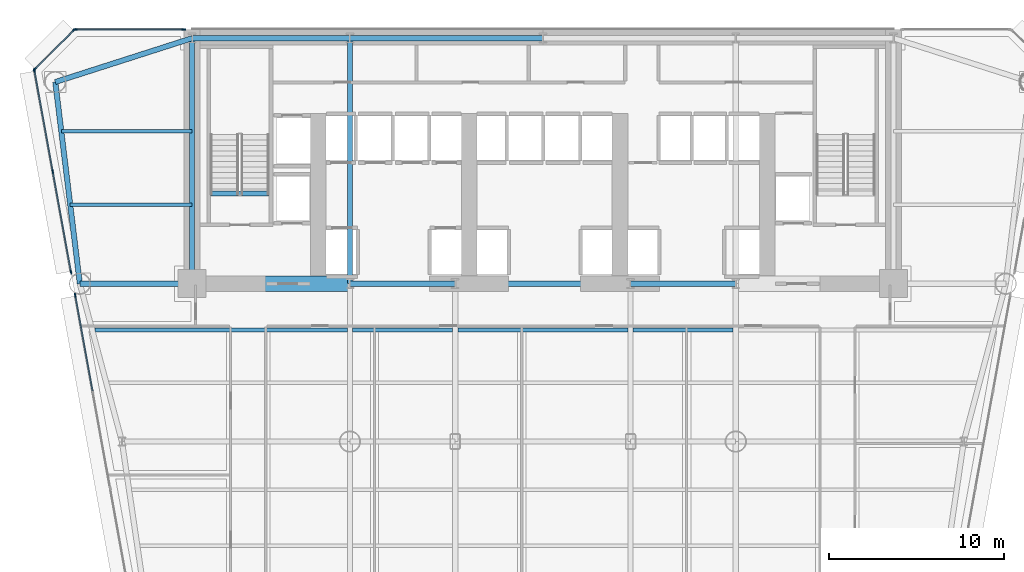
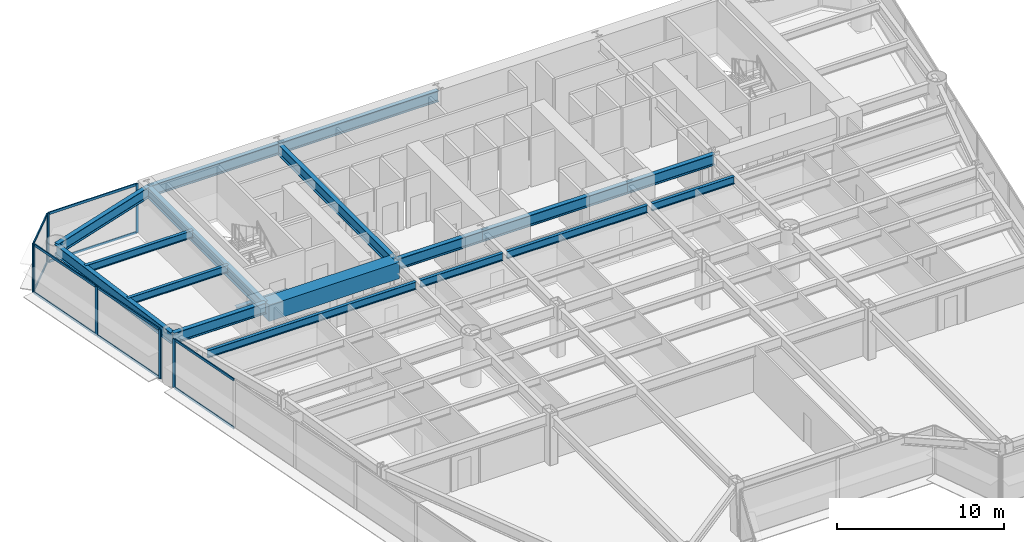
# One storey, part 5 of 14: 18 beams, 18 members, 4 elements without a shape of their own.
"""IFC4 building model written with IfcOpenShell, lengths in metres."""

from ifc_helpers import new_model, si_unit, direction, frame, origin, origin_2d, place, context, subcontext, project, spatial, rectangle, i_section, extrude, source, transform, mapped, material, layer, layer_set, material_profile, profile_set, type_object, element, aggregate, save


model = new_model("IFC4")

# Units and contexts
model_context = context("Model", 3, precision=1e-05, world=origin(), true_north=direction((0.0, 1.0)))
body_context = subcontext(model_context, "Body", "Model", "MODEL_VIEW")
ifc_project = project(units=[si_unit("LENGTHUNIT", "METRE"), si_unit("AREAUNIT", "SQUARE_METRE"), si_unit("VOLUMEUNIT", "CUBIC_METRE"), si_unit("PLANEANGLEUNIT", "RADIAN"), si_unit("MASSUNIT", "GRAM", prefix="KILO")], contexts=[model_context])

# Site, building, storey
site_placement = place(None, origin())
site = spatial("IfcSite", under=ifc_project, at=site_placement, CompositionType="ELEMENT")
building_placement = place(site_placement, origin())
building = spatial("IfcBuilding", under=site, at=building_placement, Name="Vaeldorn Concourse Tower", CompositionType="ELEMENT")
storey_placement = place(building_placement, frame((0.0, 0.0, 26.39990234375)))
storey = spatial("IfcBuildingStorey", under=building, at=storey_placement, Name="L06", CompositionType="ELEMENT", Elevation=26.39990234375)

# Beams
ifc_material_1 = material(Name="Concrete C60/75", Category="concrete")
ifc_material_profile_1 = material_profile(ifc_material_1, rectangle(XDim=0.89990234375, YDim=1.199951171875, at=origin_2d()), Name="RC 900x1200")
ifc_profile_set_1 = profile_set([ifc_material_profile_1], Name="Concrete C60/75")
beam_type_1 = type_object("IfcBeamType", Name="BM-CB-RC900", PredefinedType="BEAM", material=ifc_profile_set_1)
shared_shape_1 = source(origin(), body_context, "Body", "SweptSolid", [
    extrude(rectangle(XDim=0.89990234375, YDim=1.199951171875, at=origin_2d()), origin(), (0.0, 0.0, 1.0), 9.0),
])
beam_1_placement = place(storey_placement, frame((14.0, 36.5, 2.97998046875), z_axis=(1.0, 0.0, 0.0), x_axis=(0.0, 1.0, 0.0)))
element("IfcBeam", 1, at=beam_1_placement, inside=storey, type_object=beam_type_1, Name="Core Coupling Beam L06-1", PredefinedType="BEAM", context=body_context, shape_type="MappedRepresentation", body=[
    mapped(shared_shape_1, transform((0.0, 0.0, 0.0), scale=1.0)),
])
ifc_material_2 = material(Name="Steel S355", Category="steel")
ifc_material_profile_2 = material_profile(ifc_material_2, i_section(OverallWidth=0.300048828125, OverallDepth=0.340087890625, WebThickness=0.011962890625, FlangeThickness=0.021484375, FilletRadius=0.027099609375, at=origin_2d()), Name="HEB 340")
ifc_profile_set_2 = profile_set([ifc_material_profile_2], Name="Steel S355")
beam_type_2 = type_object("IfcBeamType", Name="BM-ST-TRIM", PredefinedType="BEAM", material=ifc_profile_set_2)
shared_shape_2 = source(origin(), body_context, "Body", "SweptSolid", [
    extrude(i_section(OverallWidth=0.300048828125, OverallDepth=0.340087890625, WebThickness=0.011962890625, FlangeThickness=0.021484375, FilletRadius=0.027099609375, at=origin_2d()), origin(), (0.0, 0.0, 1.0), 3.590087890625),
])
beam_2_placement = place(storey_placement, frame((14.929931640625, 41.639892578125, -0.389892578125), z_axis=(1.0, 0.0, 0.0), x_axis=(0.0, 1.0, 0.0)))
element("IfcBeam", 2, at=beam_2_placement, inside=storey, type_object=beam_type_2, Name="Stair Landing Trimmer Beam ST-1 L06", PredefinedType="BEAM", context=body_context, shape_type="MappedRepresentation", body=[
    mapped(shared_shape_2, transform((0.0, 0.0, 0.0), scale=1.0)),
])
ifc_material_profile_3 = material_profile(ifc_material_2, i_section(OverallWidth=0.300048828125, OverallDepth=0.800048828125, WebThickness=0.017578125, FlangeThickness=0.032958984375, FilletRadius=0.030029296875, at=origin_2d()), Name="HEB 800")
ifc_profile_set_3 = profile_set([ifc_material_profile_3], Name="Steel S355")
beam_type_3 = type_object("IfcBeamType", Name="BM-PG-HEB800", PredefinedType="BEAM", material=ifc_profile_set_3)
shared_shape_3 = source(origin(), body_context, "Body", "SweptSolid", [
    extrude(i_section(OverallWidth=0.300048828125, OverallDepth=0.800048828125, WebThickness=0.017578125, FlangeThickness=0.032958984375, FilletRadius=0.030029296875, at=origin_2d()), origin(), (0.0, 0.0, 1.0), 6.0),
])
for number, where, z_axis, x_axis, name in (
    (3, (23.0, 36.5, 3.18017578125), (1.0, 0.0, 0.0), (0.0, 1.0, 0.0), "Beam BM-L06-C-FC2-C-FC3"),
    (4, (39.0, 36.5, 3.18017578125), (1.0, 0.0, 0.0), (0.0, 1.0, 0.0), "Beam BM-L06-C-FC4-C-FC5"),
):
    element("IfcBeam", number, at=place(storey_placement, frame(where, z_axis=z_axis, x_axis=x_axis)), inside=storey, type_object=beam_type_3, Name=name, PredefinedType="BEAM", context=body_context, shape_type="MappedRepresentation", body=[
        mapped(shared_shape_3, transform((0.0, 0.0, 0.0), scale=1.0)),
    ])
shared_shape_4 = source(origin(), body_context, "Body", "SweptSolid", [
    extrude(i_section(OverallWidth=0.300048828125, OverallDepth=0.800048828125, WebThickness=0.017578125, FlangeThickness=0.032958984375, FilletRadius=0.030029296875, at=origin_2d()), origin(), (0.0, 0.0, 1.0), 10.0),
])
beam_3_placement = place(storey_placement, frame((29.0, 36.5, 3.18017578125), z_axis=(1.0, 0.0, 0.0), x_axis=(0.0, 1.0, 0.0)))
element("IfcBeam", 5, at=beam_3_placement, inside=storey, type_object=beam_type_3, Name="Beam BM-L06-C-FC3-C-FC4", PredefinedType="BEAM", context=body_context, shape_type="MappedRepresentation", body=[
    mapped(shared_shape_4, transform((0.0, 0.0, 0.0), scale=1.0)),
])
shared_shape_5 = source(origin(), body_context, "Body", "SweptSolid", [
    extrude(i_section(OverallWidth=0.300048828125, OverallDepth=0.800048828125, WebThickness=0.017578125, FlangeThickness=0.032958984375, FilletRadius=0.030029296875, at=origin_2d()), origin(), (0.0, 0.0, 1.0), 9.0),
])
beam_4_placement = place(storey_placement, frame((14.0, 50.5, 3.18017578125), z_axis=(1.0, 0.0, 0.0), x_axis=(0.0, 1.0, 0.0)))
element("IfcBeam", 6, at=beam_4_placement, inside=storey, type_object=beam_type_3, Name="Beam BM-L06-C-HC1-C-HC2", PredefinedType="BEAM", context=body_context, shape_type="MappedRepresentation", body=[
    mapped(shared_shape_5, transform((0.0, 0.0, 0.0), scale=1.0)),
])
shared_shape_6 = source(origin(), body_context, "Body", "SweptSolid", [
    extrude(i_section(OverallWidth=0.300048828125, OverallDepth=0.800048828125, WebThickness=0.017578125, FlangeThickness=0.032958984375, FilletRadius=0.030029296875, at=origin_2d()), origin(), (0.0, 0.0, 1.0), 11.0),
])
beam_5_placement = place(storey_placement, frame((23.0, 50.5, 3.18017578125), z_axis=(1.0, 0.0, 0.0), x_axis=(0.0, 1.0, 0.0)))
element("IfcBeam", 7, at=beam_5_placement, inside=storey, type_object=beam_type_3, Name="Beam BM-L06-C-HC2-C-HC3", PredefinedType="BEAM", context=body_context, shape_type="MappedRepresentation", body=[
    mapped(shared_shape_6, transform((0.0, 0.0, 0.0), scale=1.0)),
])
shared_shape_7 = source(origin(), body_context, "Body", "SweptSolid", [
    extrude(i_section(OverallWidth=0.300048828125, OverallDepth=0.800048828125, WebThickness=0.017578125, FlangeThickness=0.032958984375, FilletRadius=0.030029296875, at=origin_2d()), origin(), (0.0, 0.0, 1.0), 14.0),
])
for number, where, z_axis, x_axis, name in (
    (8, (14.0, 36.5, 3.18017578125), (0.0, 1.0, 0.0), (-1.0, 0.0, 0.0), "Beam BM-L06-C-FC1-C-HC1"),
    (9, (23.0, 36.5, 3.18017578125), (0.0, 1.0, 0.0), (-1.0, 0.0, 0.0), "Beam BM-L06-C-FC2-C-HC2"),
):
    element("IfcBeam", number, at=place(storey_placement, frame(where, z_axis=z_axis, x_axis=x_axis)), inside=storey, type_object=beam_type_3, Name=name, PredefinedType="BEAM", context=body_context, shape_type="MappedRepresentation", body=[
        mapped(shared_shape_7, transform((0.0, 0.0, 0.0), scale=1.0)),
    ])
shared_shape_8 = source(origin(), body_context, "Body", "SweptSolid", [
    extrude(i_section(OverallWidth=0.300048828125, OverallDepth=0.800048828125, WebThickness=0.017578125, FlangeThickness=0.032958984375, FilletRadius=0.030029296875, at=origin_2d()), origin(), (0.0, 0.0, 1.0), 8.19091796875),
])
beam_6_placement = place(storey_placement, frame((6.199951171875, 48.0, 3.18017578125), z_axis=(0.952282843383, 0.305216949396, 0.0), x_axis=(-0.305216949396, 0.952282843383, 0.0)))
element("IfcBeam", 10, at=beam_6_placement, inside=storey, type_object=beam_type_3, Name="Beam BM-L06-C-NW1-C-HC1", PredefinedType="BEAM", context=body_context, shape_type="MappedRepresentation", body=[
    mapped(shared_shape_8, transform((0.0, 0.0, 0.0), scale=1.0)),
])
shared_shape_9 = source(origin(), body_context, "Body", "SweptSolid", [
    extrude(i_section(OverallWidth=0.300048828125, OverallDepth=0.800048828125, WebThickness=0.017578125, FlangeThickness=0.032958984375, FilletRadius=0.030029296875, at=origin_2d()), origin(), (0.0, 0.0, 1.0), 11.5849609375),
])
beam_7_placement = place(storey_placement, frame((6.199951171875, 48.0, 3.18017578125), z_axis=(0.120859382899, -0.992669637677, 0.0), x_axis=(0.992669637677, 0.120859382899, 0.0)))
element("IfcBeam", 11, at=beam_7_placement, inside=storey, type_object=beam_type_3, Name="Beam BM-L06-C-NW1-C-NW2", PredefinedType="BEAM", context=body_context, shape_type="MappedRepresentation", body=[
    mapped(shared_shape_9, transform((0.0, 0.0, 0.0), scale=1.0)),
])
shared_shape_10 = source(origin(), body_context, "Body", "SweptSolid", [
    extrude(i_section(OverallWidth=0.300048828125, OverallDepth=0.800048828125, WebThickness=0.017578125, FlangeThickness=0.032958984375, FilletRadius=0.030029296875, at=origin_2d()), origin(), (0.0, 0.0, 1.0), 6.39990234375),
])
beam_8_placement = place(storey_placement, frame((7.60009765625, 36.5, 3.18017578125), z_axis=(1.0, 0.0, 0.0), x_axis=(0.0, 1.0, 0.0)))
element("IfcBeam", 12, at=beam_8_placement, inside=storey, type_object=beam_type_3, Name="Beam BM-L06-C-NW2-C-FC1", PredefinedType="BEAM", context=body_context, shape_type="MappedRepresentation", body=[
    mapped(shared_shape_10, transform((0.0, 0.0, 0.0), scale=1.0)),
])
ifc_material_profile_4 = material_profile(ifc_material_2, i_section(OverallWidth=0.2099609375, OverallDepth=0.550048828125, WebThickness=0.010986328125, FlangeThickness=0.01708984375, FilletRadius=0.02392578125, at=origin_2d()), Name="IPE 550")
ifc_profile_set_4 = profile_set([ifc_material_profile_4], Name="Steel S355")
beam_type_4 = type_object("IfcBeamType", Name="BM-JS-IPE550", PredefinedType="JOIST", material=ifc_profile_set_4)
shared_shape_11 = source(origin(), body_context, "Body", "SweptSolid", [
    extrude(i_section(OverallWidth=0.2099609375, OverallDepth=0.550048828125, WebThickness=0.010986328125, FlangeThickness=0.01708984375, FilletRadius=0.02392578125, at=origin_2d()), origin(), (0.0, 0.0, 1.0), 5.7001953125),
])
for number, where, z_axis, x_axis, name in (
    (13, (23.14990234375, 33.860107421875, 3.30517578125), (1.0, 0.0, 0.0), (0.0, 1.0, 0.0), "Beam JS-L06-W2-338"),
    (14, (39.14990234375, 33.860107421875, 3.30517578125), (1.0, 0.0, 0.0), (0.0, 1.0, 0.0), "Beam JS-L06-E2-338"),
):
    element("IfcBeam", number, at=place(storey_placement, frame(where, z_axis=z_axis, x_axis=x_axis)), inside=storey, type_object=beam_type_4, Name=name, PredefinedType="JOIST", context=body_context, shape_type="MappedRepresentation", body=[
        mapped(shared_shape_11, transform((0.0, 0.0, 0.0), scale=1.0)),
    ])
shared_shape_12 = source(origin(), body_context, "Body", "SweptSolid", [
    extrude(i_section(OverallWidth=0.2099609375, OverallDepth=0.550048828125, WebThickness=0.010986328125, FlangeThickness=0.01708984375, FilletRadius=0.02392578125, at=origin_2d()), origin(), (0.0, 0.0, 1.0), 9.7001953125),
])
beam_9_placement = place(storey_placement, frame((29.14990234375, 33.860107421875, 3.30517578125), z_axis=(1.0, 0.0, 0.0), x_axis=(0.0, 1.0, 0.0)))
element("IfcBeam", 15, at=beam_9_placement, inside=storey, type_object=beam_type_4, Name="Beam JS-L06-C-338", PredefinedType="JOIST", context=body_context, shape_type="MappedRepresentation", body=[
    mapped(shared_shape_12, transform((0.0, 0.0, 0.0), scale=1.0)),
])
shared_shape_13 = source(origin(), body_context, "Body", "SweptSolid", [
    extrude(i_section(OverallWidth=0.2099609375, OverallDepth=0.550048828125, WebThickness=0.010986328125, FlangeThickness=0.01708984375, FilletRadius=0.02392578125, at=origin_2d()), origin(), (0.0, 0.0, 1.0), 6.94775390625),
])
beam_10_placement = place(storey_placement, frame((7.05224609375, 41.0, 3.30517578125), z_axis=(1.0, 0.0, 0.0), x_axis=(0.0, 1.0, 0.0)))
element("IfcBeam", 16, at=beam_10_placement, inside=storey, type_object=beam_type_4, Name="Beam JS-L06-NW-410", PredefinedType="JOIST", context=body_context, shape_type="MappedRepresentation", body=[
    mapped(shared_shape_13, transform((0.0, 0.0, 0.0), scale=1.0)),
])
shared_shape_14 = source(origin(), body_context, "Body", "SweptSolid", [
    extrude(i_section(OverallWidth=0.2099609375, OverallDepth=0.550048828125, WebThickness=0.010986328125, FlangeThickness=0.01708984375, FilletRadius=0.02392578125, at=origin_2d()), origin(), (0.0, 0.0, 1.0), 7.458984375),
])
beam_11_placement = place(storey_placement, frame((6.541015625, 45.199951171875, 3.30517578125), z_axis=(1.0, 0.0, 0.0), x_axis=(0.0, 1.0, 0.0)))
element("IfcBeam", 17, at=beam_11_placement, inside=storey, type_object=beam_type_4, Name="Beam JS-L06-NW-452", PredefinedType="JOIST", context=body_context, shape_type="MappedRepresentation", body=[
    mapped(shared_shape_14, transform((0.0, 0.0, 0.0), scale=1.0)),
])
shared_shape_15 = source(origin(), body_context, "Body", "SweptSolid", [
    extrude(i_section(OverallWidth=0.2099609375, OverallDepth=0.550048828125, WebThickness=0.010986328125, FlangeThickness=0.01708984375, FilletRadius=0.02392578125, at=origin_2d()), origin(), (0.0, 0.0, 1.0), 14.39599609375),
])
beam_12_placement = place(storey_placement, frame((8.4541015625, 33.860107421875, 3.30517578125), z_axis=(1.0, 0.0, 0.0), x_axis=(0.0, 1.0, 0.0)))
element("IfcBeam", 18, at=beam_12_placement, inside=storey, type_object=beam_type_4, Name="Beam JS-L06-W1-338", PredefinedType="JOIST", context=body_context, shape_type="MappedRepresentation", body=[
    mapped(shared_shape_15, transform((0.0, 0.0, 0.0), scale=1.0)),
])

# Curtain wall, members
ifc_material_3 = material(Name="Anodised Bronze Aluminium", Category="aluminium")
ifc_layer = layer(ifc_material_3, 0.219970703125)
ifc_layer_set = layer_set([ifc_layer], Name="Anodised Bronze Aluminium")
curtain_wall_type = type_object("IfcCurtainWallType", Name="CW-SYS-01", PredefinedType="NOTDEFINED", material=ifc_layer_set)
curtain_wall_1_placement = place(storey_placement, origin())
curtain_wall_1 = element("IfcCurtainWall", 19, at=curtain_wall_1_placement, inside=storey, type_object=curtain_wall_type, Name="Unitised Curtain Wall CW-L06-E11-1", PredefinedType="NOTDEFINED")
ifc_material_profile_5 = material_profile(ifc_material_3, rectangle(XDim=0.074951171875, YDim=0.179931640625, at=origin_2d()), Name="CWT 75x180")
ifc_profile_set_5 = profile_set([ifc_material_profile_5], Name="Anodised Bronze Aluminium")
member_type_1 = type_object("IfcMemberType", Name="CWT-BRONZE-180", PredefinedType="USERDEFINED", material=ifc_profile_set_5)
shared_shape_16 = source(origin(), body_context, "Body", "SweptSolid", [
    extrude(rectangle(XDim=0.074951171875, YDim=0.179931640625, at=origin_2d()), origin(), (0.0, 0.0, 1.0), 5.772216796875),
])
member_1_placement = place(storey_placement, frame((6.057861328125, 42.872802734375, 0.03759765625), z_axis=(0.178613725347, -0.983919273679, 0.0), x_axis=(0.983919273679, 0.178613725347, 0.0)))
member_1 = element("IfcMember", 20, at=member_1_placement, type_object=member_type_1, Name="CW-01 transom 2.1", ObjectType="TRANSOM", PredefinedType="USERDEFINED", context=body_context, shape_type="MappedRepresentation", body=[
    mapped(shared_shape_16, transform((0.0, 0.0, 0.0), scale=1.0)),
])
member_2_placement = place(storey_placement, frame((6.057861328125, 42.872802734375, 3.54248046875), z_axis=(0.178613725347, -0.983919273679, 0.0), x_axis=(0.983919273679, 0.178613725347, 0.0)))
member_2 = element("IfcMember", 21, at=member_2_placement, type_object=member_type_1, Name="CW-01 transom 2.2", ObjectType="TRANSOM", PredefinedType="USERDEFINED", context=body_context, shape_type="MappedRepresentation", body=[
    mapped(shared_shape_16, transform((0.0, 0.0, 0.0), scale=1.0)),
])

curtain_wall_2_placement = place(storey_placement, origin())
curtain_wall_2 = element("IfcCurtainWall", 22, at=curtain_wall_2_placement, inside=storey, type_object=curtain_wall_type, Name="Unitised Curtain Wall CW-L06-E10-1", PredefinedType="NOTDEFINED")
shared_shape_17 = source(origin(), body_context, "Body", "SweptSolid", [
    extrude(rectangle(XDim=0.074951171875, YDim=0.179931640625, at=origin_2d()), origin(), (0.0, 0.0, 1.0), 3.10302734375),
])
member_3_placement = place(storey_placement, frame((7.2470703125, 50.947021484375, 0.03759765625), z_axis=(-0.707106781187, -0.707106781187, 0.0), x_axis=(0.707106781187, -0.707106781187, 0.0)))
member_3 = element("IfcMember", 23, at=member_3_placement, type_object=member_type_1, Name="CW-01 transom 1.1", ObjectType="TRANSOM", PredefinedType="USERDEFINED", context=body_context, shape_type="MappedRepresentation", body=[
    mapped(shared_shape_17, transform((0.0, 0.0, 0.0), scale=1.0)),
])
member_4_placement = place(storey_placement, frame((7.2470703125, 50.947021484375, 3.54248046875), z_axis=(-0.707106781187, -0.707106781187, 0.0), x_axis=(0.707106781187, -0.707106781187, 0.0)))
member_4 = element("IfcMember", 24, at=member_4_placement, type_object=member_type_1, Name="CW-01 transom 1.2", ObjectType="TRANSOM", PredefinedType="USERDEFINED", context=body_context, shape_type="MappedRepresentation", body=[
    mapped(shared_shape_17, transform((0.0, 0.0, 0.0), scale=1.0)),
])

curtain_wall_3_placement = place(storey_placement, origin())
curtain_wall_3 = element("IfcCurtainWall", 25, at=curtain_wall_3_placement, inside=storey, type_object=curtain_wall_type, Name="Unitised Curtain Wall CW-L06-E09-2", PredefinedType="NOTDEFINED")
shared_shape_18 = source(origin(), body_context, "Body", "SweptSolid", [
    extrude(rectangle(XDim=0.074951171875, YDim=0.179931640625, at=origin_2d()), origin(), (0.0, 0.0, 1.0), 6.10498046875),
])
member_5_placement = place(storey_placement, frame((13.47998046875, 51.0, 0.03759765625), z_axis=(-1.0, 0.0, 0.0), x_axis=(0.0, -1.0, 0.0)))
member_5 = element("IfcMember", 26, at=member_5_placement, type_object=member_type_1, Name="CW-01 transom 1.1", ObjectType="TRANSOM", PredefinedType="USERDEFINED", context=body_context, shape_type="MappedRepresentation", body=[
    mapped(shared_shape_18, transform((0.0, 0.0, 0.0), scale=1.0)),
])
member_6_placement = place(storey_placement, frame((13.47998046875, 51.0, 3.54248046875), z_axis=(-1.0, 0.0, 0.0), x_axis=(0.0, -1.0, 0.0)))
member_6 = element("IfcMember", 27, at=member_6_placement, type_object=member_type_1, Name="CW-01 transom 1.2", ObjectType="TRANSOM", PredefinedType="USERDEFINED", context=body_context, shape_type="MappedRepresentation", body=[
    mapped(shared_shape_18, transform((0.0, 0.0, 0.0), scale=1.0)),
])

# Member
shared_shape_19 = source(origin(), body_context, "Body", "SweptSolid", [
    extrude(rectangle(XDim=0.074951171875, YDim=0.179931640625, at=origin_2d()), origin(), (0.0, 0.0, 1.0), 5.7724609375),
])
member_7_placement = place(storey_placement, frame((5.013427734375, 48.626220703125, 0.03759765625), z_axis=(0.178606292584, -0.983920622941, 0.0), x_axis=(0.983920622941, 0.178606292584, 0.0)))
member_7 = element("IfcMember", 28, at=member_7_placement, type_object=member_type_1, Name="CW-01 transom 1.1", ObjectType="TRANSOM", PredefinedType="USERDEFINED", context=body_context, shape_type="MappedRepresentation", body=[
    mapped(shared_shape_19, transform((0.0, 0.0, 0.0), scale=1.0)),
])

member_8_placement = place(storey_placement, frame((5.013427734375, 48.626220703125, 3.54248046875), z_axis=(0.178606292584, -0.983920622941, 0.0), x_axis=(0.983920622941, 0.178606292584, 0.0)))
member_8 = element("IfcMember", 29, at=member_8_placement, type_object=member_type_1, Name="CW-01 transom 1.2", ObjectType="TRANSOM", PredefinedType="USERDEFINED", context=body_context, shape_type="MappedRepresentation", body=[
    mapped(shared_shape_19, transform((0.0, 0.0, 0.0), scale=1.0)),
])

ifc_material_profile_6 = material_profile(ifc_material_3, rectangle(XDim=0.074951171875, YDim=0.219970703125, at=origin_2d()), Name="CWM 75x220")
ifc_profile_set_6 = profile_set([ifc_material_profile_6], Name="Anodised Bronze Aluminium")
member_type_2 = type_object("IfcMemberType", Name="CWM-BRONZE-220", PredefinedType="MULLION", material=ifc_profile_set_6)
shared_shape_20 = source(origin(), body_context, "Body", "SweptSolid", [
    extrude(rectangle(XDim=0.074951171875, YDim=0.219970703125, at=origin_2d()), origin(), (0.0, 0.0, 1.0), 3.580078125),
])
member_9_placement = place(storey_placement, frame((13.517578125, 51.0, 0.0), z_axis=(0.0, 0.0, 1.0), x_axis=(0.0, -1.0, 0.0)))
member_9 = element("IfcMember", 30, at=member_9_placement, type_object=member_type_2, Name="CW-01 mullion 1", PredefinedType="MULLION", context=body_context, shape_type="MappedRepresentation", body=[
    mapped(shared_shape_20, transform((0.0, 0.0, 0.0), scale=1.0)),
])

member_10_placement = place(storey_placement, frame((7.33740234375, 51.0, 0.0), z_axis=(0.0, 0.0, 1.0), x_axis=(0.0, -1.0, 0.0)))
member_10 = element("IfcMember", 31, at=member_10_placement, type_object=member_type_2, Name="CW-01 mullion 2", PredefinedType="MULLION", context=body_context, shape_type="MappedRepresentation", body=[
    mapped(shared_shape_20, transform((0.0, 0.0, 0.0), scale=1.0)),
])

aggregate(curtain_wall_3, [member_9, member_10, member_5, member_6])

member_11_placement = place(storey_placement, frame((7.2734375, 50.973388671875, 0.0), z_axis=(0.0, 0.0, 1.0), x_axis=(0.707106781187, -0.707106781187, 0.0)))
member_11 = element("IfcMember", 32, at=member_11_placement, type_object=member_type_2, Name="CW-01 mullion 1", PredefinedType="MULLION", context=body_context, shape_type="MappedRepresentation", body=[
    mapped(shared_shape_20, transform((0.0, 0.0, 0.0), scale=1.0)),
])

member_12_placement = place(storey_placement, frame((5.026611328125, 48.7265625, 0.0), z_axis=(0.0, 0.0, 1.0), x_axis=(0.707106781187, -0.707106781187, 0.0)))
member_12 = element("IfcMember", 33, at=member_12_placement, type_object=member_type_2, Name="CW-01 mullion 2", PredefinedType="MULLION", context=body_context, shape_type="MappedRepresentation", body=[
    mapped(shared_shape_20, transform((0.0, 0.0, 0.0), scale=1.0)),
])

aggregate(curtain_wall_2, [member_11, member_12, member_3, member_4])

member_13_placement = place(storey_placement, frame((5.006591796875, 48.6630859375, 0.0), z_axis=(0.0, 0.0, 1.0), x_axis=(0.983919898141, 0.178610285377, 0.0)))
member_13 = element("IfcMember", 34, at=member_13_placement, type_object=member_type_2, Name="CW-01 mullion 1", PredefinedType="MULLION", context=body_context, shape_type="MappedRepresentation", body=[
    mapped(shared_shape_20, transform((0.0, 0.0, 0.0), scale=1.0)),
])

member_14_placement = place(storey_placement, frame((6.051025390625, 42.90966796875, 0.0), z_axis=(0.0, 0.0, 1.0), x_axis=(0.983919898141, 0.178610285377, 0.0)))
member_14 = element("IfcMember", 35, at=member_14_placement, type_object=member_type_2, Name="CW-01 mullion 2", PredefinedType="MULLION", context=body_context, shape_type="MappedRepresentation", body=[
    mapped(shared_shape_20, transform((0.0, 0.0, 0.0), scale=1.0)),
])

member_15_placement = place(storey_placement, frame((7.095458984375, 37.156494140625, 0.0), z_axis=(0.0, 0.0, 1.0), x_axis=(0.983919898141, 0.178610285377, 0.0)))
member_15 = element("IfcMember", 36, at=member_15_placement, type_object=member_type_2, Name="CW-01 mullion 3", PredefinedType="MULLION", context=body_context, shape_type="MappedRepresentation", body=[
    mapped(shared_shape_20, transform((0.0, 0.0, 0.0), scale=1.0)),
])

aggregate(curtain_wall_1, [member_13, member_14, member_15, member_7, member_8, member_1, member_2])

# Curtain wall, members
curtain_wall_4_placement = place(storey_placement, origin())
curtain_wall_4 = element("IfcCurtainWall", 37, at=curtain_wall_4_placement, inside=storey, type_object=curtain_wall_type, Name="Unitised Curtain Wall CW-L06-E11-2", PredefinedType="NOTDEFINED")
member_16_placement = place(storey_placement, frame((7.333740234375, 35.843505859375, 0.0), z_axis=(0.0, 0.0, 1.0), x_axis=(0.983920092351, 0.178609215521, 0.0)))
member_16 = element("IfcMember", 38, at=member_16_placement, type_object=member_type_2, Name="CW-01 mullion 1", PredefinedType="MULLION", context=body_context, shape_type="MappedRepresentation", body=[
    mapped(shared_shape_20, transform((0.0, 0.0, 0.0), scale=1.0)),
])
shared_shape_21 = source(origin(), body_context, "Body", "SweptSolid", [
    extrude(rectangle(XDim=0.074951171875, YDim=0.179931640625, at=origin_2d()), origin(), (0.0, 0.0, 1.0), 5.49462890625),
])
member_17_placement = place(storey_placement, frame((7.340576171875, 35.806640625, 0.03759765625), z_axis=(0.178619546254, -0.983918216975, 0.0), x_axis=(0.983918216975, 0.178619546254, 0.0)))
member_17 = element("IfcMember", 39, at=member_17_placement, type_object=member_type_1, Name="CW-01 transom 1.1", ObjectType="TRANSOM", PredefinedType="USERDEFINED", context=body_context, shape_type="MappedRepresentation", body=[
    mapped(shared_shape_21, transform((0.0, 0.0, 0.0), scale=1.0)),
])
member_18_placement = place(storey_placement, frame((7.340576171875, 35.806640625, 3.54248046875), z_axis=(0.178619546254, -0.983918216975, 0.0), x_axis=(0.983918216975, 0.178619546254, 0.0)))
member_18 = element("IfcMember", 40, at=member_18_placement, type_object=member_type_1, Name="CW-01 transom 1.2", ObjectType="TRANSOM", PredefinedType="USERDEFINED", context=body_context, shape_type="MappedRepresentation", body=[
    mapped(shared_shape_21, transform((0.0, 0.0, 0.0), scale=1.0)),
])
aggregate(curtain_wall_4, [member_16, member_17, member_18])

save(model, "model.ifc")
